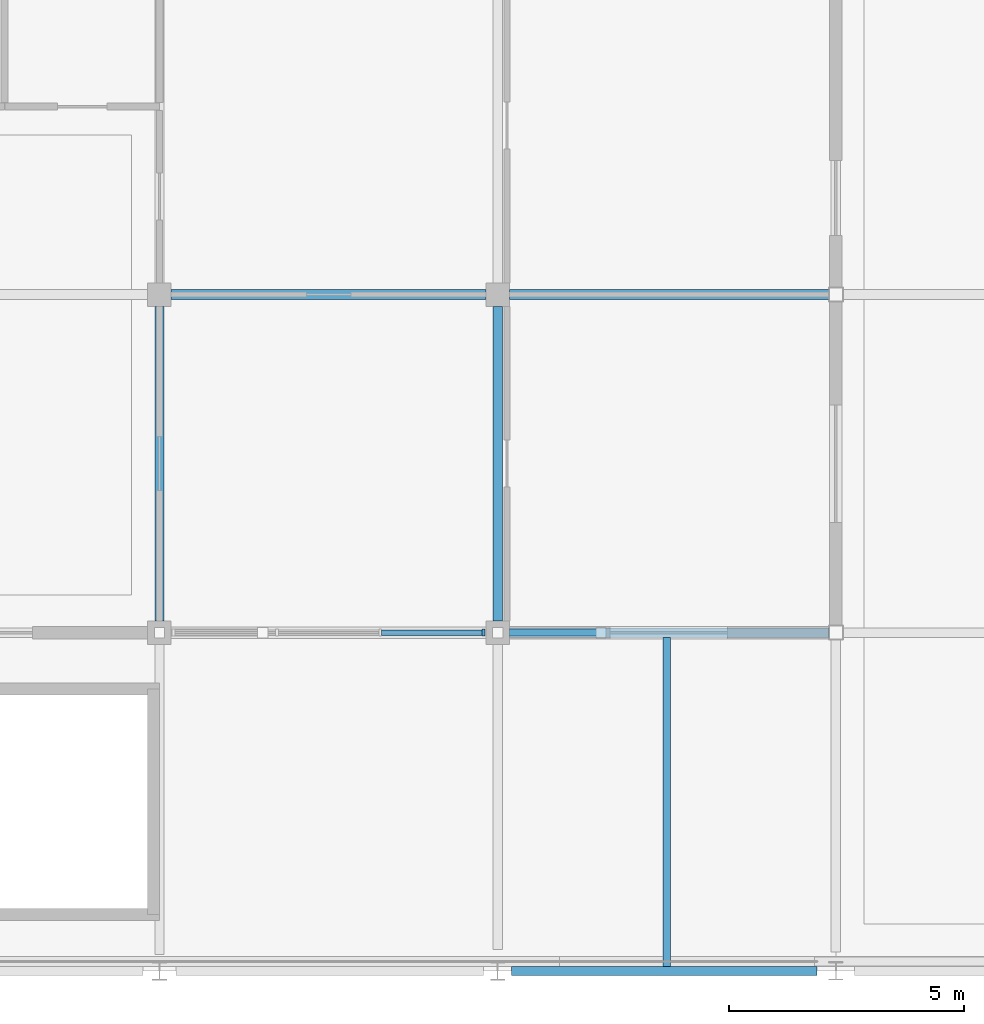
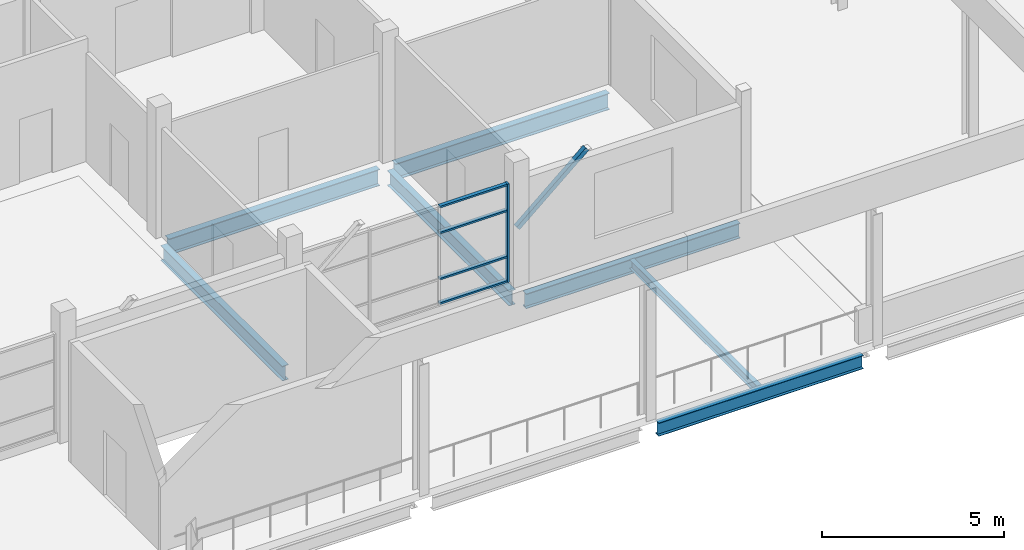
# One storey, part 10 of 32: 7 beams, 6 members, 1 element without a shape of its own.
"""IFC4 building model written with IfcOpenShell, lengths in metres."""

import ifcopenshell
import ifcopenshell.guid

model = None  # the IFC model being written
_history = None  # IfcOwnerHistory: only IFC2X3 demands one
_inside = {}  # id of a spatial element -> (the spatial element, [elements in it])
_under = {}  # id of a project, library or spatial element -> (it, [spatial elements below it])
_declared = {}  # id of a project -> (the project, [libraries it declares])
_typed = {}  # id of a type object -> (the type object, [elements of that type])
_made_of = {}  # id of a material, layer set ... -> (it, [elements and type objects made of it])


def new_model(schema):
    """Start an empty IFC model of exactly this schema.

    Asked for "IFC4X3", IfcOpenShell would pick the latest addendum, in which some entities
    have other attributes; the version numbers below select the first issue.
    IFC2X3 requires an IfcOwnerHistory on every rooted entity: one is made here for all.
    """
    global model, _history
    if schema == "IFC4X3":
        model = ifcopenshell.file(schema_version=(4, 3, 0, 0))
    else:
        model = ifcopenshell.file(schema=schema)
    _inside.clear()
    _under.clear()
    _declared.clear()
    _typed.clear()
    _made_of.clear()
    _history = None
    if model.schema == "IFC2X3":
        org = make("IfcOrganization", Name="unknown")
        user = make(
            "IfcPersonAndOrganization",
            ThePerson=make("IfcPerson", FamilyName="unknown"),
            TheOrganization=org,
        )
        app = make(
            "IfcApplication",
            ApplicationDeveloper=org,
            Version="unknown",
            ApplicationFullName="unknown",
            ApplicationIdentifier="unknown",
        )
        _history = make(
            "IfcOwnerHistory",
            OwningUser=user,
            OwningApplication=app,
            ChangeAction="ADDED",
            CreationDate=0,
        )
    return model


def make(cls, **values):
    """One entity of the class cls with the attributes given. An attribute that is None is left unset."""
    return model.create_entity(
        cls, **{name: value for name, value in values.items() if value is not None}
    )


def rooted(cls, **values):
    """An entity with a GlobalId (a new one), such as an element, a storey or a relation."""
    return make(cls, GlobalId=ifcopenshell.guid.new(), OwnerHistory=_history, **values)


def si_unit(unit_type, name, prefix=None):
    """IfcSIUnit, for example si_unit("LENGTHUNIT", "METRE", prefix="MILLI")."""
    return make("IfcSIUnit", UnitType=unit_type, Prefix=prefix, Name=name)


def assignment(units):
    """IfcUnitAssignment: the units of a project."""
    return None if units is None else make("IfcUnitAssignment", Units=units)


def point(xyz):
    """IfcCartesianPoint."""
    return None if xyz is None else make("IfcCartesianPoint", Coordinates=xyz)


def direction(xyz):
    """IfcDirection."""
    return None if xyz is None else make("IfcDirection", DirectionRatios=xyz)


def frame(location, z_axis=None, x_axis=None):
    """IfcAxis2Placement3D, a coordinate frame: its origin and axes. An axis left out is left unset."""
    return make(
        "IfcAxis2Placement3D",
        Location=point(location),
        Axis=direction(z_axis),
        RefDirection=direction(x_axis),
    )


def frame_2d(location, x_axis=None):
    """IfcAxis2Placement2D, a coordinate frame in the plane: its origin and x axis."""
    return make(
        "IfcAxis2Placement2D", Location=point(location), RefDirection=direction(x_axis)
    )


def origin():
    """The frame at (0, 0, 0) with its axes left unset."""
    return frame((0.0, 0.0, 0.0))


def origin_2d():
    """The frame at (0, 0) in the plane with its x axis left unset."""
    return frame_2d((0.0, 0.0))


def place(relative_to, where):
    """IfcLocalPlacement: puts the frame where relative to a parent placement (None: the world)."""
    return make(
        "IfcLocalPlacement", PlacementRelTo=relative_to, RelativePlacement=where
    )


def context(
    kind, dimensions, precision=None, world=None, true_north=None, identifier=None
):
    """IfcGeometricRepresentationContext, for example the 3D "Model" context."""
    return make(
        "IfcGeometricRepresentationContext",
        ContextIdentifier=identifier,
        ContextType=kind,
        CoordinateSpaceDimension=dimensions,
        Precision=precision,
        WorldCoordinateSystem=world,
        TrueNorth=true_north,
    )


def subcontext(parent, identifier, kind, view, scale=None):
    """IfcGeometricRepresentationSubContext, for example "Body" below "Model"."""
    return make(
        "IfcGeometricRepresentationSubContext",
        ContextIdentifier=identifier,
        ContextType=kind,
        ParentContext=parent,
        TargetScale=scale,
        TargetView=view,
    )


def project(units=None, contexts=None):
    """IfcProject with its units and contexts."""
    return rooted(
        "IfcProject",
        Name="project",
        RepresentationContexts=contexts,
        UnitsInContext=assignment(units),
    )


def spatial(cls, under=None, at=None, **own):
    """A site, building, storey or space (cls), placed at a placement, below another one or the project."""
    s = rooted(cls, ObjectPlacement=at, **own)
    if under is not None:
        _under.setdefault(under.id(), (under, []))[1].append(s)
    return s


def profile(cls, at=None, kind="AREA", **sizes):
    """A parametric profile (cls). Its sizes go by their IFC names, for example OverallWidth=200.0."""
    return make(cls, ProfileType=kind, Position=at, **sizes)


def rectangle(**sizes):
    """IfcRectangleProfileDef."""
    return profile("IfcRectangleProfileDef", **sizes)


def hollow_rectangle(**sizes):
    """IfcRectangleHollowProfileDef."""
    return profile("IfcRectangleHollowProfileDef", **sizes)


def i_section(**sizes):
    """IfcIShapeProfileDef."""
    return profile("IfcIShapeProfileDef", **sizes)


def extrude(swept, where, along, depth):
    """IfcExtrudedAreaSolid: the profile swept, set in the frame where, extruded along a direction by depth."""
    return make(
        "IfcExtrudedAreaSolid",
        SweptArea=swept,
        Position=where,
        ExtrudedDirection=direction(along),
        Depth=depth,
    )


def shape(context_of_items, identifier, shape_type, items):
    """IfcShapeRepresentation: the items that make up one representation, for example the "Body"."""
    return make(
        "IfcShapeRepresentation",
        ContextOfItems=context_of_items,
        RepresentationIdentifier=identifier,
        RepresentationType=shape_type,
        Items=items,
    )


def material(Name=None, Category=None):
    """IfcMaterial."""
    return make("IfcMaterial", Name=Name, Category=Category)


def material_profile(
    of_material, cross_section, Name=None, Category=None, Priority=None
):
    """IfcMaterialProfile: a cross section and its material."""
    return make(
        "IfcMaterialProfile",
        Name=Name,
        Material=of_material,
        Profile=cross_section,
        Priority=Priority,
        Category=Category,
    )


def profile_set(profiles, Name=None, composite=None):
    """IfcMaterialProfileSet."""
    return make(
        "IfcMaterialProfileSet",
        Name=Name,
        MaterialProfiles=profiles,
        CompositeProfile=composite,
    )


def made_of(thing, what):
    """Note that an element or type object is made of a material, layer set ...; save() writes the relation."""
    if what is not None:
        _made_of.setdefault(what.id(), (what, []))[1].append(thing)
    return thing


def type_object(cls, material=None, **own):
    """A type object (cls), such as IfcWallType, which elements share."""
    return made_of(rooted(cls, **own), material)


def element(
    cls,
    number,
    at=None,
    inside=None,
    cuts=None,
    type_object=None,
    material=None,
    context=None,
    identifier="Body",
    shape_type=None,
    held_by="IfcProductDefinitionShape",
    body=None,
    shapes=None,
    **own,
):
    """One element of the class cls, such as IfcWall. Its Tag is "e" and its number.

    at: its placement. inside: the storey or other place that contains it. cuts: it is an
    opening in that element (IfcRelVoidsElement). A single representation is given by context,
    identifier, shape_type and body (its items); several are given by shapes. held_by: the class
    of the entity that holds the representations. save() writes the other relations.
    """
    e = rooted(cls, Tag="e%d" % number, ObjectPlacement=at, **own)
    if body is not None:
        shapes = [shape(context, identifier, shape_type, body)]
    if shapes is not None:
        e.Representation = make(held_by, Representations=shapes)
    if inside is not None:
        _inside.setdefault(inside.id(), (inside, []))[1].append(e)
    if cuts is not None:
        rooted(
            "IfcRelVoidsElement", RelatingBuildingElement=cuts, RelatedOpeningElement=e
        )
    if type_object is not None:
        _typed.setdefault(type_object.id(), (type_object, []))[1].append(e)
    return made_of(e, material)


def aggregate(whole, parts):
    """IfcRelAggregates: a whole, such as a stair, and the parts it consists of."""
    return rooted("IfcRelAggregates", RelatingObject=whole, RelatedObjects=parts)


def save(model, path):
    """Write the relations noted so far, then the file.

    IfcRelAggregates (storeys below a building ...), IfcRelContainedInSpatialStructure (elements
    in a storey), IfcRelDefinesByType, IfcRelAssociatesMaterial and IfcRelDeclares: one each for
    every whole, place, type object, material and project.
    """
    for whole, parts in _under.values():
        aggregate(whole, parts)
    for where, things in _inside.values():
        rooted(
            "IfcRelContainedInSpatialStructure",
            RelatedElements=things,
            RelatingStructure=where,
        )
    for kind, things in _typed.values():
        rooted("IfcRelDefinesByType", RelatedObjects=things, RelatingType=kind)
    for what, things in _made_of.values():
        rooted("IfcRelAssociatesMaterial", RelatedObjects=things, RelatingMaterial=what)
    for by, libraries in _declared.values():
        rooted("IfcRelDeclares", RelatingContext=by, RelatedDefinitions=libraries)
    model.write(path)


model = new_model("IFC4")

# Units and contexts
model_context = context("Model", 3, precision=1e-05, world=origin(), true_north=direction((0.0, 1.0)))
body_context = subcontext(model_context, "Body", "Model", "MODEL_VIEW")
ifc_project = project(units=[si_unit("LENGTHUNIT", "METRE"), si_unit("AREAUNIT", "SQUARE_METRE"), si_unit("VOLUMEUNIT", "CUBIC_METRE"), si_unit("PLANEANGLEUNIT", "RADIAN"), si_unit("MASSUNIT", "GRAM", prefix="KILO")], contexts=[model_context])

# Site, building, storey
site_placement = place(None, origin())
site = spatial("IfcSite", under=ifc_project, at=site_placement, CompositionType="ELEMENT")
building_placement = place(site_placement, origin())
building = spatial("IfcBuilding", under=site, at=building_placement, Name="Sardonyx Promenade Sports Hall", CompositionType="ELEMENT")
storey_placement = place(building_placement, frame((0.0, 0.0, 20.39990234375)))
storey = spatial("IfcBuildingStorey", under=building, at=storey_placement, Name="L04", CompositionType="ELEMENT", Elevation=20.39990234375)

# Beams
ifc_material_1 = material(Name="Steel S355JR", Category="steel")
ifc_material_profile_1 = material_profile(ifc_material_1, i_section(OverallWidth=0.14990234375, OverallDepth=0.300048828125, WebThickness=0.007080078125, FlangeThickness=0.0107421875, at=origin_2d()))
ifc_profile_set_1 = profile_set([ifc_material_profile_1], Name="Steel S355JR")
beam_type_1 = type_object("IfcBeamType", Name="Bm_Joist_IPE300", PredefinedType="JOIST", material=ifc_profile_set_1)
beam_1_placement = place(storey_placement, frame((61.199951171875, 0.094970703125, -0.409912109375), z_axis=(0.0, 1.0, 0.0), x_axis=(-1.0, 0.0, 0.0)))
element("IfcBeam", 1, at=beam_1_placement, inside=storey, type_object=beam_type_1, Name="Secondary joist SJ03 L04 #1096", PredefinedType="JOIST", context=body_context, shape_type="SweptSolid", body=[
    extrude(i_section(OverallWidth=0.14990234375, OverallDepth=0.300048828125, WebThickness=0.007080078125, FlangeThickness=0.0107421875, at=origin_2d()), origin(), (0.0, 0.0, 1.0), 7.005126953125),
])
ifc_material_2 = material(Name="Steel S355JR", Category="steel")
ifc_material_profile_2 = material_profile(ifc_material_2, i_section(OverallWidth=0.199951171875, OverallDepth=0.5, WebThickness=0.01025390625, FlangeThickness=0.01611328125, at=origin_2d()))
ifc_profile_set_2 = profile_set([ifc_material_profile_2], Name="Steel S355JR")
beam_type_2 = type_object("IfcBeamType", Name="Bm_Primary_IPE500", PredefinedType="BEAM", material=ifc_profile_set_2)
beam_2_placement = place(storey_placement, frame((57.85009765625, 7.199951171875, -0.52001953125), z_axis=(1.0, 0.0, 0.0), x_axis=(0.0, 1.0, 0.0)))
element("IfcBeam", 2, at=beam_2_placement, inside=storey, type_object=beam_type_2, Name="Beam SB06 L04 #959", PredefinedType="BEAM", context=body_context, shape_type="SweptSolid", body=[
    extrude(i_section(OverallWidth=0.199951171875, OverallDepth=0.5, WebThickness=0.01025390625, FlangeThickness=0.01611328125, at=origin_2d()), origin(), (0.0, 0.0, 1.0), 6.7998046875),
])
for number, where, z_axis, x_axis, name in (
    (3, (50.39990234375, 7.449951171875, -0.52001953125), (0.0, 1.0, 0.0), (-1.0, 0.0, 0.0), "Beam SB06 L04 #1057"),
    (4, (57.60009765625, 7.449951171875, -0.52001953125), (0.0, 1.0, 0.0), (-1.0, 0.0, 0.0), "Beam SB06 L04 #1061"),
):
    element("IfcBeam", number, at=place(storey_placement, frame(where, z_axis=z_axis, x_axis=x_axis)), inside=storey, type_object=beam_type_2, Name=name, PredefinedType="BEAM", context=body_context, shape_type="SweptSolid", body=[
        extrude(i_section(OverallWidth=0.199951171875, OverallDepth=0.5, WebThickness=0.01025390625, FlangeThickness=0.01611328125, at=origin_2d()), origin(), (0.0, 0.0, 1.0), 6.699951171875),
    ])
ifc_material_3 = material(Name="Steel S355JR", Category="steel")
ifc_material_profile_3 = material_profile(ifc_material_3, i_section(OverallWidth=0.2099609375, OverallDepth=0.550048828125, WebThickness=0.010986328125, FlangeThickness=0.01708984375, at=origin_2d()))
ifc_profile_set_3 = profile_set([ifc_material_profile_3], Name="Steel S355JR")
beam_type_3 = type_object("IfcBeamType", Name="Bm_Primary_IPE550", PredefinedType="BEAM", material=ifc_profile_set_3)
beam_3_placement = place(storey_placement, frame((50.64990234375, 14.39990234375, -0.544921875), z_axis=(1.0, 0.0, 0.0), x_axis=(0.0, 1.0, 0.0)))
element("IfcBeam", 5, at=beam_3_placement, inside=storey, type_object=beam_type_3, Name="Beam SB03 L04 #973", PredefinedType="BEAM", context=body_context, shape_type="SweptSolid", body=[
    extrude(i_section(OverallWidth=0.2099609375, OverallDepth=0.550048828125, WebThickness=0.010986328125, FlangeThickness=0.01708984375, at=origin_2d()), origin(), (0.0, 0.0, 1.0), 6.7001953125),
])
beam_4_placement = place(storey_placement, frame((57.85009765625, 14.39990234375, -0.544921875), z_axis=(1.0, 0.0, 0.0), x_axis=(0.0, 1.0, 0.0)))
element("IfcBeam", 6, at=beam_4_placement, inside=storey, type_object=beam_type_3, Name="Beam SB03 L04 #974", PredefinedType="BEAM", context=body_context, shape_type="SweptSolid", body=[
    extrude(i_section(OverallWidth=0.2099609375, OverallDepth=0.550048828125, WebThickness=0.010986328125, FlangeThickness=0.01708984375, at=origin_2d()), origin(), (0.0, 0.0, 1.0), 6.7998046875),
])
ifc_material_4 = material(Name="Steel S355JR", Category="steel")
ifc_material_profile_4 = material_profile(ifc_material_4, i_section(OverallWidth=0.18994140625, OverallDepth=0.449951171875, WebThickness=0.009521484375, FlangeThickness=0.0146484375, at=origin_2d()))
ifc_profile_set_4 = profile_set([ifc_material_profile_4], Name="Steel S355JR")
beam_type_4 = type_object("IfcBeamType", Name="Bm_Spandrel_Steel", PredefinedType="SPANDREL", material=ifc_profile_set_4)
beam_5_placement = place(storey_placement, frame((57.89990234375, 0.0, -0.48486328125), z_axis=(1.0, 0.0, 0.0), x_axis=(0.0, 1.0, 0.0)))
element("IfcBeam", 7, at=beam_5_placement, inside=storey, type_object=beam_type_4, Name="Beam SPB3 L04 #944", PredefinedType="SPANDREL", context=body_context, shape_type="SweptSolid", body=[
    extrude(i_section(OverallWidth=0.18994140625, OverallDepth=0.449951171875, WebThickness=0.009521484375, FlangeThickness=0.0146484375, at=origin_2d()), origin(), (0.0, 0.0, 1.0), 6.5),
])

# Curtain wall, members
ifc_material_5 = material(Name="Aluminium 6063-T6", Category="aluminium")
curtain_wall_type = type_object("IfcCurtainWallType", Name="CW_Pavilion_L04_640", PredefinedType="USERDEFINED", material=ifc_material_5)
curtain_wall_placement = place(storey_placement, origin())
curtain_wall = element("IfcCurtainWall", 8, at=curtain_wall_placement, inside=storey, type_object=curtain_wall_type, Name="Curtain wall CW10 cw:L04:171", ObjectType="CURTAIN WALL", PredefinedType="USERDEFINED")
ifc_material_6 = material(Name="Aluminium 6063-T6", Category="aluminium")
ifc_material_profile_5 = material_profile(ifc_material_6, rectangle(XDim=0.06005859375, YDim=0.14990234375, at=origin_2d()))
ifc_profile_set_5 = profile_set([ifc_material_profile_5], Name="Aluminium 6063-T6")
member_type_1 = type_object("IfcMemberType", Name="CW_Mull_150", PredefinedType="MULLION", material=ifc_profile_set_5)
member_1_placement = place(storey_placement, frame((57.300048828125, 7.199951171875, 0.300048828125), z_axis=(0.0, 0.0, 1.0), x_axis=(-1.0, 0.0, 0.0)))
member_1 = element("IfcMember", 9, at=member_1_placement, type_object=member_type_1, Name="Mullion CM01 cw:L04:171 #1", PredefinedType="MULLION", context=body_context, shape_type="SweptSolid", body=[
    extrude(rectangle(XDim=0.06005859375, YDim=0.14990234375, at=origin_2d()), origin(), (0.0, 0.0, 1.0), 3.300048828125),
])
ifc_material_7 = material(Name="Aluminium 6063-T6", Category="aluminium")
ifc_material_profile_6 = material_profile(ifc_material_7, rectangle(XDim=0.06005859375, YDim=0.1201171875, at=origin_2d()))
ifc_profile_set_6 = profile_set([ifc_material_profile_6], Name="Aluminium 6063-T6")
member_type_2 = type_object("IfcMemberType", Name="CW_Tran_120", PredefinedType="USERDEFINED", material=ifc_profile_set_6)
member_2_placement = place(storey_placement, frame((57.27001953125, 7.199951171875, 0.330078125), z_axis=(-1.0, 0.0, 0.0), x_axis=(0.0, 0.0, 1.0)))
member_2 = element("IfcMember", 10, at=member_2_placement, type_object=member_type_2, Name="Transom CT01 cw:L04:171 #1", ObjectType="TRANSOM", PredefinedType="USERDEFINED", context=body_context, shape_type="SweptSolid", body=[
    extrude(rectangle(XDim=0.06005859375, YDim=0.1201171875, at=origin_2d()), origin(), (0.0, 0.0, 1.0), 2.14013671875),
])
member_3_placement = place(storey_placement, frame((57.27001953125, 7.199951171875, 1.150146484375), z_axis=(-1.0, 0.0, 0.0), x_axis=(0.0, 0.0, 1.0)))
member_3 = element("IfcMember", 11, at=member_3_placement, type_object=member_type_2, Name="Transom CT01 cw:L04:171 #2", ObjectType="TRANSOM", PredefinedType="USERDEFINED", context=body_context, shape_type="SweptSolid", body=[
    extrude(rectangle(XDim=0.06005859375, YDim=0.1201171875, at=origin_2d()), origin(), (0.0, 0.0, 1.0), 2.14013671875),
])
member_4_placement = place(storey_placement, frame((57.27001953125, 7.199951171875, 2.7001953125), z_axis=(-1.0, 0.0, 0.0), x_axis=(0.0, 0.0, 1.0)))
member_4 = element("IfcMember", 12, at=member_4_placement, type_object=member_type_2, Name="Transom CT01 cw:L04:171 #3", ObjectType="TRANSOM", PredefinedType="USERDEFINED", context=body_context, shape_type="SweptSolid", body=[
    extrude(rectangle(XDim=0.06005859375, YDim=0.1201171875, at=origin_2d()), origin(), (0.0, 0.0, 1.0), 2.14013671875),
])
member_5_placement = place(storey_placement, frame((57.27001953125, 7.199951171875, 3.570068359375), z_axis=(-1.0, 0.0, 0.0), x_axis=(0.0, 0.0, 1.0)))
member_5 = element("IfcMember", 13, at=member_5_placement, type_object=member_type_2, Name="Transom CT01 cw:L04:171 #4", ObjectType="TRANSOM", PredefinedType="USERDEFINED", context=body_context, shape_type="SweptSolid", body=[
    extrude(rectangle(XDim=0.06005859375, YDim=0.1201171875, at=origin_2d()), origin(), (0.0, 0.0, 1.0), 2.14013671875),
])
aggregate(curtain_wall, [member_1, member_2, member_3, member_4, member_5])

# Member
ifc_material_8 = material(Name="Steel S355JR", Category="steel")
ifc_material_profile_7 = material_profile(ifc_material_8, hollow_rectangle(XDim=0.14990234375, YDim=0.14990234375, WallThickness=0.008056640625, at=origin_2d()))
ifc_profile_set_7 = profile_set([ifc_material_profile_7], Name="Steel S355JR")
member_type_3 = type_object("IfcMemberType", Name="Mbr_Strut_SHS150", PredefinedType="STRUT", material=ifc_profile_set_7)
member_6_placement = place(storey_placement, frame((57.60009765625, 7.199951171875, 2.0), z_axis=(0.756790903627, 0.0, 0.653657041718), x_axis=(0.0, 1.0, 0.0)))
element("IfcMember", 14, at=member_6_placement, inside=storey, type_object=member_type_3, Name="Pavilion roof knee-brace strut #26", PredefinedType="STRUT", context=body_context, shape_type="SweptSolid", body=[
    extrude(hollow_rectangle(XDim=0.14990234375, YDim=0.14990234375, WallThickness=0.008056640625, at=origin_2d()), origin(), (0.0, 0.0, 1.0), 2.906982421875),
])

save(model, "model.ifc")
